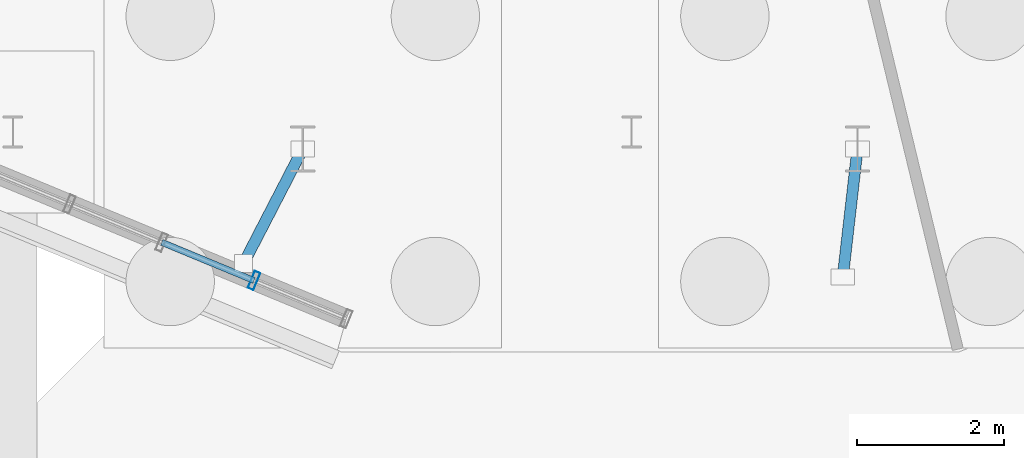
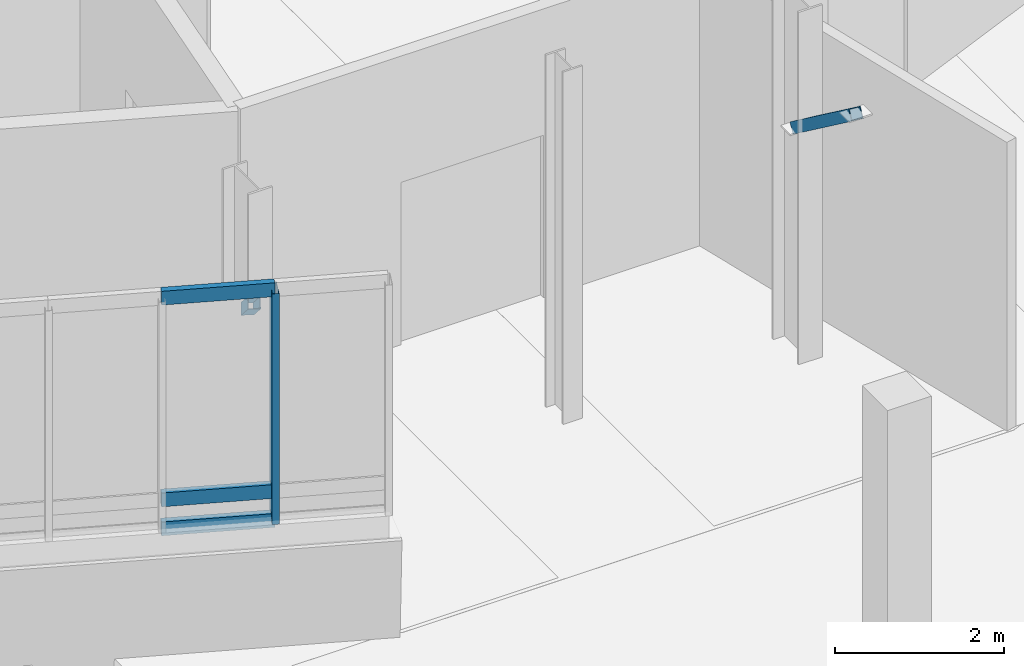
# One storey, part 35 of 119: 6 members, 1 element without a shape of its own.
"""IFC4 building model written with IfcOpenShell, lengths in metres."""

import ifcopenshell
import ifcopenshell.guid

model = None  # the IFC model being written
_history = None  # IfcOwnerHistory: only IFC2X3 demands one
_inside = {}  # id of a spatial element -> (the spatial element, [elements in it])
_under = {}  # id of a project, library or spatial element -> (it, [spatial elements below it])
_declared = {}  # id of a project -> (the project, [libraries it declares])
_typed = {}  # id of a type object -> (the type object, [elements of that type])
_made_of = {}  # id of a material, layer set ... -> (it, [elements and type objects made of it])


def new_model(schema):
    """Start an empty IFC model of exactly this schema.

    Asked for "IFC4X3", IfcOpenShell would pick the latest addendum, in which some entities
    have other attributes; the version numbers below select the first issue.
    IFC2X3 requires an IfcOwnerHistory on every rooted entity: one is made here for all.
    """
    global model, _history
    if schema == "IFC4X3":
        model = ifcopenshell.file(schema_version=(4, 3, 0, 0))
    else:
        model = ifcopenshell.file(schema=schema)
    _inside.clear()
    _under.clear()
    _declared.clear()
    _typed.clear()
    _made_of.clear()
    _history = None
    if model.schema == "IFC2X3":
        org = make("IfcOrganization", Name="unknown")
        user = make(
            "IfcPersonAndOrganization",
            ThePerson=make("IfcPerson", FamilyName="unknown"),
            TheOrganization=org,
        )
        app = make(
            "IfcApplication",
            ApplicationDeveloper=org,
            Version="unknown",
            ApplicationFullName="unknown",
            ApplicationIdentifier="unknown",
        )
        _history = make(
            "IfcOwnerHistory",
            OwningUser=user,
            OwningApplication=app,
            ChangeAction="ADDED",
            CreationDate=0,
        )
    return model


def make(cls, **values):
    """One entity of the class cls with the attributes given. An attribute that is None is left unset."""
    return model.create_entity(
        cls, **{name: value for name, value in values.items() if value is not None}
    )


def rooted(cls, **values):
    """An entity with a GlobalId (a new one), such as an element, a storey or a relation."""
    return make(cls, GlobalId=ifcopenshell.guid.new(), OwnerHistory=_history, **values)


def si_unit(unit_type, name, prefix=None):
    """IfcSIUnit, for example si_unit("LENGTHUNIT", "METRE", prefix="MILLI")."""
    return make("IfcSIUnit", UnitType=unit_type, Prefix=prefix, Name=name)


def derived_unit(unit_type, elements):
    """IfcDerivedUnit: a product of units, each with its exponent."""
    return make(
        "IfcDerivedUnit",
        Elements=[
            make("IfcDerivedUnitElement", Unit=unit, Exponent=power)
            for unit, power in elements
        ],
        UnitType=unit_type,
    )


def assignment(units):
    """IfcUnitAssignment: the units of a project."""
    return None if units is None else make("IfcUnitAssignment", Units=units)


def point(xyz):
    """IfcCartesianPoint."""
    return None if xyz is None else make("IfcCartesianPoint", Coordinates=xyz)


def direction(xyz):
    """IfcDirection."""
    return None if xyz is None else make("IfcDirection", DirectionRatios=xyz)


def frame(location, z_axis=None, x_axis=None):
    """IfcAxis2Placement3D, a coordinate frame: its origin and axes. An axis left out is left unset."""
    return make(
        "IfcAxis2Placement3D",
        Location=point(location),
        Axis=direction(z_axis),
        RefDirection=direction(x_axis),
    )


def frame_2d(location, x_axis=None):
    """IfcAxis2Placement2D, a coordinate frame in the plane: its origin and x axis."""
    return make(
        "IfcAxis2Placement2D", Location=point(location), RefDirection=direction(x_axis)
    )


def origin():
    """The frame at (0, 0, 0) with its axes left unset."""
    return frame((0.0, 0.0, 0.0))


def origin_2d():
    """The frame at (0, 0) in the plane with its x axis left unset."""
    return frame_2d((0.0, 0.0))


def place(relative_to, where):
    """IfcLocalPlacement: puts the frame where relative to a parent placement (None: the world)."""
    return make(
        "IfcLocalPlacement", PlacementRelTo=relative_to, RelativePlacement=where
    )


def context(
    kind, dimensions, precision=None, world=None, true_north=None, identifier=None
):
    """IfcGeometricRepresentationContext, for example the 3D "Model" context."""
    return make(
        "IfcGeometricRepresentationContext",
        ContextIdentifier=identifier,
        ContextType=kind,
        CoordinateSpaceDimension=dimensions,
        Precision=precision,
        WorldCoordinateSystem=world,
        TrueNorth=true_north,
    )


def subcontext(parent, identifier, kind, view, scale=None):
    """IfcGeometricRepresentationSubContext, for example "Body" below "Model"."""
    return make(
        "IfcGeometricRepresentationSubContext",
        ContextIdentifier=identifier,
        ContextType=kind,
        ParentContext=parent,
        TargetScale=scale,
        TargetView=view,
    )


def project(units=None, contexts=None):
    """IfcProject with its units and contexts."""
    return rooted(
        "IfcProject",
        Name="project",
        RepresentationContexts=contexts,
        UnitsInContext=assignment(units),
    )


def spatial(cls, under=None, at=None, **own):
    """A site, building, storey or space (cls), placed at a placement, below another one or the project."""
    s = rooted(cls, ObjectPlacement=at, **own)
    if under is not None:
        _under.setdefault(under.id(), (under, []))[1].append(s)
    return s


def profile(cls, at=None, kind="AREA", **sizes):
    """A parametric profile (cls). Its sizes go by their IFC names, for example OverallWidth=200.0."""
    return make(cls, ProfileType=kind, Position=at, **sizes)


def hollow_rectangle(**sizes):
    """IfcRectangleHollowProfileDef."""
    return profile("IfcRectangleHollowProfileDef", **sizes)


def extrude(swept, where, along, depth):
    """IfcExtrudedAreaSolid: the profile swept, set in the frame where, extruded along a direction by depth."""
    return make(
        "IfcExtrudedAreaSolid",
        SweptArea=swept,
        Position=where,
        ExtrudedDirection=direction(along),
        Depth=depth,
    )


def shape(context_of_items, identifier, shape_type, items):
    """IfcShapeRepresentation: the items that make up one representation, for example the "Body"."""
    return make(
        "IfcShapeRepresentation",
        ContextOfItems=context_of_items,
        RepresentationIdentifier=identifier,
        RepresentationType=shape_type,
        Items=items,
    )


def material(Name=None, Category=None):
    """IfcMaterial."""
    return make("IfcMaterial", Name=Name, Category=Category)


def layer(
    of_material, thickness, ventilated=None, Name=None, Category=None, Priority=None
):
    """IfcMaterialLayer: one layer of a wall or slab, of a material (None: an air gap)."""
    return make(
        "IfcMaterialLayer",
        Material=of_material,
        LayerThickness=thickness,
        IsVentilated=ventilated,
        Name=Name,
        Category=Category,
        Priority=Priority,
    )


def layer_set(layers, Name=None):
    """IfcMaterialLayerSet."""
    return make("IfcMaterialLayerSet", MaterialLayers=layers, LayerSetName=Name)


def material_profile(
    of_material, cross_section, Name=None, Category=None, Priority=None
):
    """IfcMaterialProfile: a cross section and its material."""
    return make(
        "IfcMaterialProfile",
        Name=Name,
        Material=of_material,
        Profile=cross_section,
        Priority=Priority,
        Category=Category,
    )


def profile_set(profiles, Name=None, composite=None):
    """IfcMaterialProfileSet."""
    return make(
        "IfcMaterialProfileSet",
        Name=Name,
        MaterialProfiles=profiles,
        CompositeProfile=composite,
    )


def made_of(thing, what):
    """Note that an element or type object is made of a material, layer set ...; save() writes the relation."""
    if what is not None:
        _made_of.setdefault(what.id(), (what, []))[1].append(thing)
    return thing


def type_object(cls, material=None, **own):
    """A type object (cls), such as IfcWallType, which elements share."""
    return made_of(rooted(cls, **own), material)


def element(
    cls,
    number,
    at=None,
    inside=None,
    cuts=None,
    type_object=None,
    material=None,
    context=None,
    identifier="Body",
    shape_type=None,
    held_by="IfcProductDefinitionShape",
    body=None,
    shapes=None,
    **own,
):
    """One element of the class cls, such as IfcWall. Its Tag is "e" and its number.

    at: its placement. inside: the storey or other place that contains it. cuts: it is an
    opening in that element (IfcRelVoidsElement). A single representation is given by context,
    identifier, shape_type and body (its items); several are given by shapes. held_by: the class
    of the entity that holds the representations. save() writes the other relations.
    """
    e = rooted(cls, Tag="e%d" % number, ObjectPlacement=at, **own)
    if body is not None:
        shapes = [shape(context, identifier, shape_type, body)]
    if shapes is not None:
        e.Representation = make(held_by, Representations=shapes)
    if inside is not None:
        _inside.setdefault(inside.id(), (inside, []))[1].append(e)
    if cuts is not None:
        rooted(
            "IfcRelVoidsElement", RelatingBuildingElement=cuts, RelatedOpeningElement=e
        )
    if type_object is not None:
        _typed.setdefault(type_object.id(), (type_object, []))[1].append(e)
    return made_of(e, material)


def aggregate(whole, parts):
    """IfcRelAggregates: a whole, such as a stair, and the parts it consists of."""
    return rooted("IfcRelAggregates", RelatingObject=whole, RelatedObjects=parts)


def save(model, path):
    """Write the relations noted so far, then the file.

    IfcRelAggregates (storeys below a building ...), IfcRelContainedInSpatialStructure (elements
    in a storey), IfcRelDefinesByType, IfcRelAssociatesMaterial and IfcRelDeclares: one each for
    every whole, place, type object, material and project.
    """
    for whole, parts in _under.values():
        aggregate(whole, parts)
    for where, things in _inside.values():
        rooted(
            "IfcRelContainedInSpatialStructure",
            RelatedElements=things,
            RelatingStructure=where,
        )
    for kind, things in _typed.values():
        rooted("IfcRelDefinesByType", RelatedObjects=things, RelatingType=kind)
    for what, things in _made_of.values():
        rooted("IfcRelAssociatesMaterial", RelatedObjects=things, RelatingMaterial=what)
    for by, libraries in _declared.values():
        rooted("IfcRelDeclares", RelatingContext=by, RelatedDefinitions=libraries)
    model.write(path)


model = new_model("IFC4")

# Units and contexts
model_context = context("Model", 3, precision=1e-05, world=origin(), true_north=direction((0.0, 1.0)))
body_context = subcontext(model_context, "Body", "Model", "MODEL_VIEW")
ifc_project = project(units=[si_unit("LENGTHUNIT", "METRE"), si_unit("AREAUNIT", "SQUARE_METRE"), si_unit("VOLUMEUNIT", "CUBIC_METRE"), si_unit("PLANEANGLEUNIT", "RADIAN"), si_unit("MASSUNIT", "GRAM", prefix="KILO"), derived_unit("THERMALTRANSMITTANCEUNIT", [(si_unit("MASSUNIT", "GRAM", prefix="KILO"), 1), (si_unit("TIMEUNIT", "SECOND"), -3), (si_unit("THERMODYNAMICTEMPERATUREUNIT", "KELVIN"), -1)])], contexts=[model_context])

# Site, building, storey
site_placement = place(None, origin())
site = spatial("IfcSite", under=ifc_project, at=site_placement, CompositionType="ELEMENT")
building_placement = place(site_placement, origin())
building = spatial("IfcBuilding", under=site, at=building_placement, Name="Makaiwela Harbour Ferry Terminal", CompositionType="ELEMENT")
storey_placement = place(building_placement, origin())
storey = spatial("IfcBuildingStorey", under=building, at=storey_placement, Name="L00", CompositionType="ELEMENT", Elevation=0.0)

# Curtain wall, members
ifc_material_1 = material(Name="Marine anodised aluminium 6063-T6", Category="aluminium")
ifc_layer = layer(ifc_material_1, 0.199951171875)
ifc_layer_set = layer_set([ifc_layer], Name="Marine anodised aluminium 6063-T6")
curtain_wall_type = type_object("IfcCurtainWallType", Name="ENV-CW-01", PredefinedType="USERDEFINED", material=ifc_layer_set)
curtain_wall_placement = place(storey_placement, origin())
curtain_wall = element("IfcCurtainWall", 1, at=curtain_wall_placement, inside=storey, type_object=curtain_wall_type, Name="Unitised Curtain Wall CWA-008", ObjectType="UNITIZED CURTAIN WALL", PredefinedType="USERDEFINED")
ifc_material_profile_1 = material_profile(ifc_material_1, hollow_rectangle(XDim=0.0849609375, YDim=0.25, WallThickness=0.0048828125, at=origin_2d()), Name="CWM-250X85")
ifc_profile_set_1 = profile_set([ifc_material_profile_1], Name="Marine anodised aluminium 6063-T6")
member_type_1 = type_object("IfcMemberType", Name="CW-MUL-250", PredefinedType="MULLION", material=ifc_profile_set_1)
member_1_placement = place(storey_placement, frame((32.673095703125, 47.3837890625, 1.47998046875), z_axis=(0.0, 0.0, 1.0), x_axis=(-0.923879532511, 0.382683432365, 0.0)))
member_1 = element("IfcMember", 2, at=member_1_placement, type_object=member_type_1, Name="Curtain Wall Mullion CWA-008-6", PredefinedType="MULLION", context=body_context, shape_type="SweptSolid", body=[
    extrude(hollow_rectangle(XDim=0.0849609375, YDim=0.25, WallThickness=0.0048828125, at=origin_2d()), origin(), (0.0, 0.0, 1.0), 3.340087890625),
])
ifc_material_profile_2 = material_profile(ifc_material_1, hollow_rectangle(XDim=0.0849609375, YDim=0.199951171875, WallThickness=0.0048828125, at=origin_2d()), Name="CWT-200X85")
ifc_profile_set_2 = profile_set([ifc_material_profile_2], Name="Marine anodised aluminium 6063-T6")
member_type_2 = type_object("IfcMemberType", Name="CW-TRN-200", PredefinedType="USERDEFINED", material=ifc_profile_set_2)
member_2_placement = place(storey_placement, frame((31.42041015625, 47.902587890625, 1.47998046875), z_axis=(0.923900526019, -0.382632745623, 0.0), x_axis=(0.382632745623, 0.923900526019, 0.0)))
member_2 = element("IfcMember", 3, at=member_2_placement, type_object=member_type_2, Name="Curtain Wall Transom CWA-008-5-1", ObjectType="TRANSOM", PredefinedType="USERDEFINED", context=body_context, shape_type="SweptSolid", body=[
    extrude(hollow_rectangle(XDim=0.0849609375, YDim=0.199951171875, WallThickness=0.0048828125, at=origin_2d()), origin(), (0.0, 0.0, 1.0), 1.35595703125),
])
member_3_placement = place(storey_placement, frame((31.42041015625, 47.902587890625, 1.89990234375), z_axis=(0.923900526019, -0.382632745623, 0.0), x_axis=(0.382632745623, 0.923900526019, 0.0)))
member_3 = element("IfcMember", 4, at=member_3_placement, type_object=member_type_2, Name="Curtain Wall Transom CWA-008-5-2", ObjectType="TRANSOM", PredefinedType="USERDEFINED", context=body_context, shape_type="SweptSolid", body=[
    extrude(hollow_rectangle(XDim=0.0849609375, YDim=0.199951171875, WallThickness=0.0048828125, at=origin_2d()), origin(), (0.0, 0.0, 1.0), 1.35595703125),
])
member_4_placement = place(storey_placement, frame((31.42041015625, 47.902587890625, 4.820068359375), z_axis=(0.923900526019, -0.382632745623, 0.0), x_axis=(0.382632745623, 0.923900526019, 0.0)))
member_4 = element("IfcMember", 5, at=member_4_placement, type_object=member_type_2, Name="Curtain Wall Transom CWA-008-5-3", ObjectType="TRANSOM", PredefinedType="USERDEFINED", context=body_context, shape_type="SweptSolid", body=[
    extrude(hollow_rectangle(XDim=0.0849609375, YDim=0.199951171875, WallThickness=0.0048828125, at=origin_2d()), origin(), (0.0, 0.0, 1.0), 1.35595703125),
])
aggregate(curtain_wall, [member_1, member_2, member_3, member_4])

# Members
ifc_material_2 = material(Name="Steel ASTM A500 Grade C", Category="steel")
ifc_material_profile_3 = material_profile(ifc_material_2, hollow_rectangle(XDim=0.152099609375, YDim=0.152099609375, WallThickness=0.0087890625, at=origin_2d()), Name="HSS6X6X3/8")
ifc_profile_set_3 = profile_set([ifc_material_profile_3], Name="Steel ASTM A500 Grade C")
member_type_3 = type_object("IfcMemberType", Name="STR-STT-HSS6", PredefinedType="STRUT", material=ifc_profile_set_3)
for number, where, z_axis, x_axis, name in (
    (6, (33.334716796875, 49.1708984375, 3.199951171875), (-0.367440547706, -0.710771995077, 0.599825487051), (0.888319692531, -0.459225569694, 0.0), "Structural Member SR-01"),
    (7, (40.865234375, 49.1708984375, 3.199951171875), (-0.091189482574, -0.794922270369, 0.599819191373), (0.993484473948, -0.113967539345, 0.0), "Structural Member SR-01"),
):
    element("IfcMember", number, at=place(storey_placement, frame(where, z_axis=z_axis, x_axis=x_axis)), inside=storey, type_object=member_type_3, Name=name, PredefinedType="STRUT", context=body_context, shape_type="SweptSolid", body=[
        extrude(hollow_rectangle(XDim=0.152099609375, YDim=0.152099609375, WallThickness=0.0087890625, at=origin_2d()), origin(), (0.0, 0.0, 1.0), 2.187255859375),
    ])

save(model, "model.ifc")
